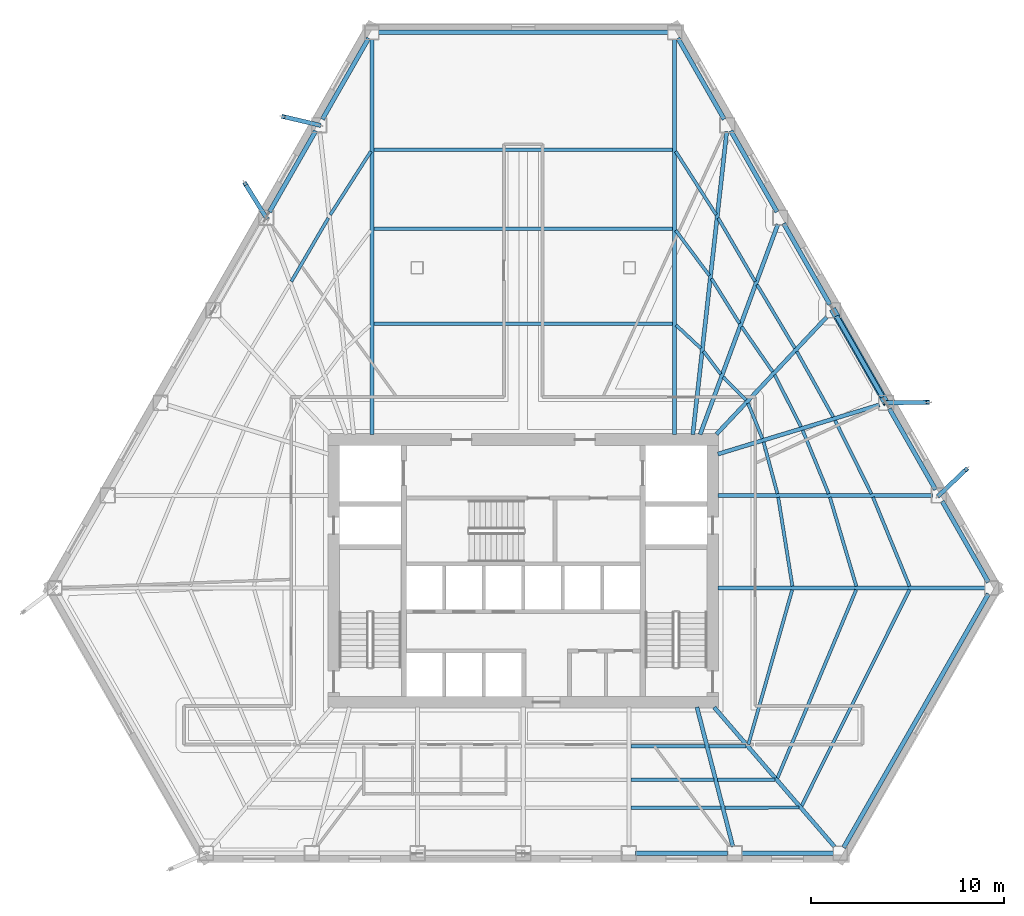
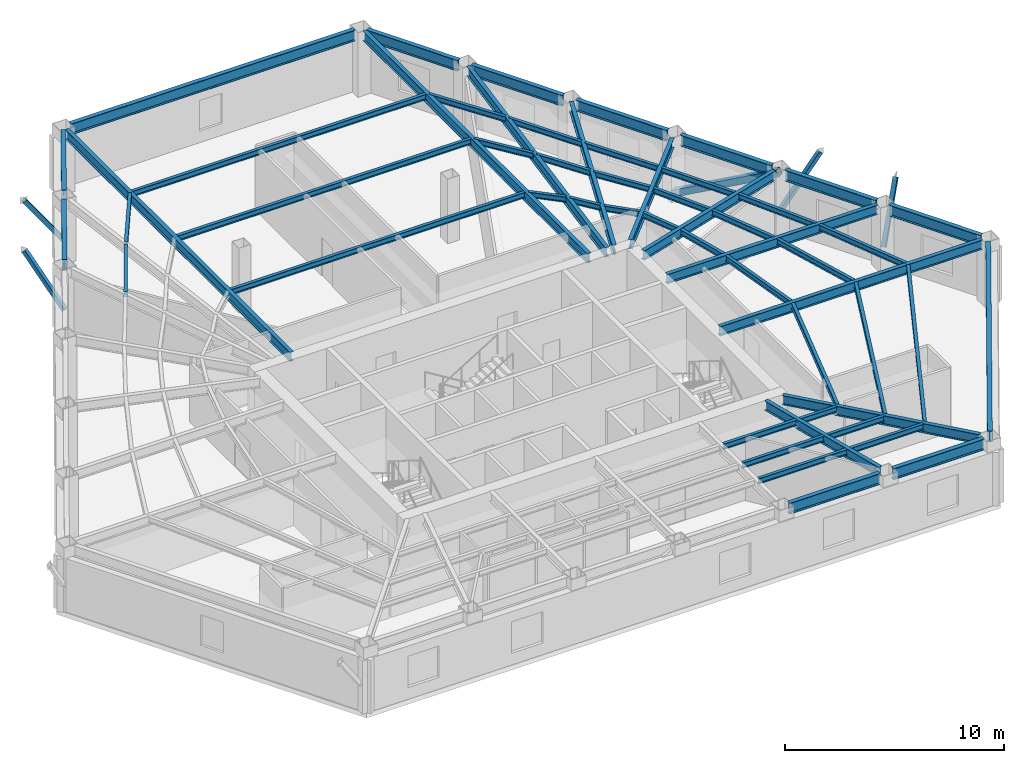
# One storey, part 2 of 12: 54 beams, 5 members.
"""IFC4 building model written with IfcOpenShell, lengths in metres."""

from ifc_helpers import new_model, si_unit, direction, frame, origin, origin_2d, place, context, subcontext, project, spatial, hollow_rectangle, i_section, extrude, material, material_profile, profile_set, type_object, element, save


model = new_model("IFC4")

# Units and contexts
model_context = context("Model", 3, precision=1e-05, world=origin(), true_north=direction((0.0, 1.0)))
body_context = subcontext(model_context, "Body", "Model", "MODEL_VIEW")
ifc_project = project(units=[si_unit("LENGTHUNIT", "METRE"), si_unit("AREAUNIT", "SQUARE_METRE"), si_unit("VOLUMEUNIT", "CUBIC_METRE"), si_unit("PLANEANGLEUNIT", "RADIAN"), si_unit("MASSUNIT", "GRAM", prefix="KILO")], contexts=[model_context])

# Site, building, storey
site_placement = place(None, origin())
site = spatial("IfcSite", under=ifc_project, at=site_placement, CompositionType="ELEMENT")
building_placement = place(site_placement, origin())
building = spatial("IfcBuilding", under=site, at=building_placement, Name="Kavelnor Concourse Tower", CompositionType="ELEMENT")
storey_placement = place(building_placement, frame((0.0, 0.0, 29.10009765625)))
storey = spatial("IfcBuildingStorey", under=building, at=storey_placement, Name="L07", CompositionType="ELEMENT", Elevation=29.10009765625)

# Beams
ifc_material = material(Name="Steel Grade 350", Category="steel")
ifc_material_profile_1 = material_profile(ifc_material, i_section(OverallWidth=0.166015625, OverallDepth=0.306884765625, WebThickness=0.006591796875, FlangeThickness=0.01171875, at=origin_2d()), Name="310UB46")
ifc_profile_set_1 = profile_set([ifc_material_profile_1], Name="Steel Grade 350")
beam_type_1 = type_object("IfcBeamType", Name="BM-JOIST-310", PredefinedType="JOIST", material=ifc_profile_set_1)
beam_1_placement = place(storey_placement, frame((43.572998046875, 7.013671875, 3.4365234375), z_axis=(0.999999991945, -0.000126927714, 0.0), x_axis=(0.000126927714, 0.999999991945, 0.0)))
element("IfcBeam", 1, at=beam_1_placement, inside=storey, type_object=beam_type_1, Name="L07 Secondary Composite Joist 06-1", PredefinedType="JOIST", context=body_context, shape_type="SweptSolid", body=[
    extrude(i_section(OverallWidth=0.166015625, OverallDepth=0.306884765625, WebThickness=0.006591796875, FlangeThickness=0.01171875, at=origin_2d()), origin(), (0.0, 0.0, 1.0), 3.846923828125),
])
beam_2_placement = place(storey_placement, frame((43.572998046875, 5.276611328125, 3.4365234375), z_axis=(0.999999998384, 5.6850483e-05, 0.0), x_axis=(-5.6850483e-05, 0.999999998384, 0.0)))
element("IfcBeam", 2, at=beam_2_placement, inside=storey, type_object=beam_type_1, Name="L07 Secondary Composite Joist 06-2", PredefinedType="JOIST", context=body_context, shape_type="SweptSolid", body=[
    extrude(i_section(OverallWidth=0.166015625, OverallDepth=0.306884765625, WebThickness=0.006591796875, FlangeThickness=0.01171875, at=origin_2d()), origin(), (0.0, 0.0, 1.0), 4.29443359375),
])
beam_3_placement = place(storey_placement, frame((43.572998046875, 3.829345703125, 3.4365234375), z_axis=(0.999999994527, 0.000104618925, 0.0), x_axis=(-0.000104618925, 0.999999994527, 0.0)))
element("IfcBeam", 3, at=beam_3_placement, inside=storey, type_object=beam_type_1, Name="L07 Secondary Composite Joist 06-3", PredefinedType="JOIST", context=body_context, shape_type="SweptSolid", body=[
    extrude(i_section(OverallWidth=0.166015625, OverallDepth=0.306884765625, WebThickness=0.006591796875, FlangeThickness=0.01171875, at=origin_2d()), origin(), (0.0, 0.0, 1.0), 4.667236328125),
])
beam_4_placement = place(storey_placement, frame((47.616943359375, 7.012939453125, 3.4365234375), z_axis=(0.999998412912, -0.001781620995, 0.0), x_axis=(0.001781620995, 0.999998412912, 0.0)))
element("IfcBeam", 4, at=beam_4_placement, inside=storey, type_object=beam_type_1, Name="L07 Secondary Composite Joist 07-1", PredefinedType="JOIST", context=body_context, shape_type="SweptSolid", body=[
    extrude(i_section(OverallWidth=0.166015625, OverallDepth=0.306884765625, WebThickness=0.006591796875, FlangeThickness=0.01171875, at=origin_2d()), origin(), (0.0, 0.0, 1.0), 1.91845703125),
])
beam_5_placement = place(storey_placement, frame((48.064453125, 5.27685546875, 3.4365234375), z_axis=(0.999999996614, 8.2290981e-05, 0.0), x_axis=(-8.2290981e-05, 0.999999996614, 0.0)))
element("IfcBeam", 5, at=beam_5_placement, inside=storey, type_object=beam_type_1, Name="L07 Secondary Composite Joist 07-2", PredefinedType="JOIST", context=body_context, shape_type="SweptSolid", body=[
    extrude(i_section(OverallWidth=0.166015625, OverallDepth=0.306884765625, WebThickness=0.006591796875, FlangeThickness=0.01171875, at=origin_2d()), origin(), (0.0, 0.0, 1.0), 2.966796875),
])
beam_6_placement = place(storey_placement, frame((48.437255859375, 3.830078125, 3.4365234375), z_axis=(0.999999603933, 0.000890018719, 0.0), x_axis=(-0.000890018719, 0.999999603933, 0.0)))
element("IfcBeam", 6, at=beam_6_placement, inside=storey, type_object=beam_type_1, Name="L07 Secondary Composite Joist 07-3", PredefinedType="JOIST", context=body_context, shape_type="SweptSolid", body=[
    extrude(i_section(OverallWidth=0.166015625, OverallDepth=0.306884765625, WebThickness=0.006591796875, FlangeThickness=0.01171875, at=origin_2d()), origin(), (0.0, 0.0, 1.0), 3.84033203125),
])
beam_7_placement = place(storey_placement, frame((49.660888671875, 7.10400390625, 3.4365234375), z_axis=(0.27269037015, 0.962101845974, 0.0), x_axis=(-0.962101845974, 0.27269037015, 0.0)))
element("IfcBeam", 7, at=beam_7_placement, inside=storey, type_object=beam_type_1, Name="L07 Secondary Composite Joist 08-1", PredefinedType="JOIST", context=body_context, shape_type="SweptSolid", body=[
    extrude(i_section(OverallWidth=0.166015625, OverallDepth=0.306884765625, WebThickness=0.006591796875, FlangeThickness=0.01171875, at=origin_2d()), origin(), (0.0, 0.0, 1.0), 8.32275390625),
])
beam_8_placement = place(storey_placement, frame((51.167724609375, 5.367919921875, 3.4365234375), z_axis=(0.38570957059, 0.922620250783, 0.0), x_axis=(-0.922620250783, 0.38570957059, 0.0)))
element("IfcBeam", 8, at=beam_8_placement, inside=storey, type_object=beam_type_1, Name="L07 Secondary Composite Joist 08-2", PredefinedType="JOIST", context=body_context, shape_type="SweptSolid", body=[
    extrude(i_section(OverallWidth=0.166015625, OverallDepth=0.306884765625, WebThickness=0.006591796875, FlangeThickness=0.01171875, at=origin_2d()), origin(), (0.0, 0.0, 1.0), 10.564697265625),
])
beam_9_placement = place(storey_placement, frame((52.420166015625, 3.921630859375, 3.4365234375), z_axis=(0.446425153632, 0.894820977741, 0.0), x_axis=(-0.894820977741, 0.446425153632, 0.0)))
element("IfcBeam", 9, at=beam_9_placement, inside=storey, type_object=beam_type_1, Name="L07 Secondary Composite Joist 08-3", PredefinedType="JOIST", context=body_context, shape_type="SweptSolid", body=[
    extrude(i_section(OverallWidth=0.166015625, OverallDepth=0.306884765625, WebThickness=0.006591796875, FlangeThickness=0.01171875, at=origin_2d()), origin(), (0.0, 0.0, 1.0), 12.5126953125),
])
beam_10_placement = place(storey_placement, frame((51.941650390625, 15.303466796875, 3.4365234375), z_axis=(-0.157778022927, 0.98747460498, 0.0), x_axis=(-0.98747460498, -0.157778022927, 0.0)))
element("IfcBeam", 10, at=beam_10_placement, inside=storey, type_object=beam_type_1, Name="L07 Secondary Composite Joist 09-1", PredefinedType="JOIST", context=body_context, shape_type="SweptSolid", body=[
    extrude(i_section(OverallWidth=0.166015625, OverallDepth=0.306884765625, WebThickness=0.006591796875, FlangeThickness=0.01171875, at=origin_2d()), origin(), (0.0, 0.0, 1.0), 4.66064453125),
])
beam_11_placement = place(storey_placement, frame((55.252685546875, 15.300537109375, 3.4365234375), z_axis=(-0.284527543542, 0.958667865825, 0.0), x_axis=(-0.958667865825, -0.284527543542, 0.0)))
element("IfcBeam", 11, at=beam_11_placement, inside=storey, type_object=beam_type_1, Name="L07 Secondary Composite Joist 09-2", PredefinedType="JOIST", context=body_context, shape_type="SweptSolid", body=[
    extrude(i_section(OverallWidth=0.166015625, OverallDepth=0.306884765625, WebThickness=0.006591796875, FlangeThickness=0.01171875, at=origin_2d()), origin(), (0.0, 0.0, 1.0), 4.806884765625),
])
beam_12_placement = place(storey_placement, frame((58.0126953125, 15.29736328125, 3.4365234375), z_axis=(-0.380114739322, 0.924939341228, 0.0), x_axis=(-0.924939341228, -0.380114739322, 0.0)))
element("IfcBeam", 12, at=beam_12_placement, inside=storey, type_object=beam_type_1, Name="L07 Secondary Composite Joist 09-3", PredefinedType="JOIST", context=body_context, shape_type="SweptSolid", body=[
    extrude(i_section(OverallWidth=0.166015625, OverallDepth=0.306884765625, WebThickness=0.006591796875, FlangeThickness=0.01171875, at=origin_2d()), origin(), (0.0, 0.0, 1.0), 4.9892578125),
])
beam_13_placement = place(storey_placement, frame((51.165283203125, 20.09814453125, 3.4365234375), z_axis=(-0.259044050326, 0.965865508231, 0.0), x_axis=(-0.965865508231, -0.259044050326, 0.0)))
element("IfcBeam", 13, at=beam_13_placement, inside=storey, type_object=beam_type_1, Name="L07 Secondary Composite Joist 10-1", PredefinedType="JOIST", context=body_context, shape_type="SweptSolid", body=[
    extrude(i_section(OverallWidth=0.166015625, OverallDepth=0.306884765625, WebThickness=0.006591796875, FlangeThickness=0.01171875, at=origin_2d()), origin(), (0.0, 0.0, 1.0), 2.760498046875),
])
beam_14_placement = place(storey_placement, frame((53.819580078125, 20.09423828125, 3.4365234375), z_axis=(-0.379764488657, 0.925083203369, 0.0), x_axis=(-0.925083203369, -0.379764488657, 0.0)))
element("IfcBeam", 14, at=beam_14_placement, inside=storey, type_object=beam_type_1, Name="L07 Secondary Composite Joist 10-2", PredefinedType="JOIST", context=body_context, shape_type="SweptSolid", body=[
    extrude(i_section(OverallWidth=0.166015625, OverallDepth=0.306884765625, WebThickness=0.006591796875, FlangeThickness=0.01171875, at=origin_2d()), origin(), (0.0, 0.0, 1.0), 3.552490234375),
])
beam_15_placement = place(storey_placement, frame((56.03515625, 20.09130859375, 3.4365234375), z_axis=(-0.444127359241, 0.895963664873, 0.0), x_axis=(-0.895963664873, -0.444127359241, 0.0)))
element("IfcBeam", 15, at=beam_15_placement, inside=storey, type_object=beam_type_1, Name="L07 Secondary Composite Joist 10-3", PredefinedType="JOIST", context=body_context, shape_type="SweptSolid", body=[
    extrude(i_section(OverallWidth=0.166015625, OverallDepth=0.306884765625, WebThickness=0.006591796875, FlangeThickness=0.01171875, at=origin_2d()), origin(), (0.0, 0.0, 1.0), 4.24365234375),
])
beam_16_placement = place(storey_placement, frame((50.3876953125, 22.95068359375, 3.4365234375), z_axis=(-0.37688079029, 0.926261771807, 0.0), x_axis=(-0.926261771807, -0.37688079029, 0.0)))
element("IfcBeam", 16, at=beam_16_placement, inside=storey, type_object=beam_type_1, Name="L07 Secondary Composite Joist 11-1", PredefinedType="JOIST", context=body_context, shape_type="SweptSolid", body=[
    extrude(i_section(OverallWidth=0.166015625, OverallDepth=0.306884765625, WebThickness=0.006591796875, FlangeThickness=0.01171875, at=origin_2d()), origin(), (0.0, 0.0, 1.0), 1.975830078125),
])
beam_17_placement = place(storey_placement, frame((52.388427734375, 23.559326171875, 3.4365234375), z_axis=(-0.45359286798, 0.891209015954, 0.0), x_axis=(-0.891209015954, -0.45359286798, 0.0)))
element("IfcBeam", 17, at=beam_17_placement, inside=storey, type_object=beam_type_1, Name="L07 Secondary Composite Joist 11-2", PredefinedType="JOIST", context=body_context, shape_type="SweptSolid", body=[
    extrude(i_section(OverallWidth=0.166015625, OverallDepth=0.306884765625, WebThickness=0.006591796875, FlangeThickness=0.01171875, at=origin_2d()), origin(), (0.0, 0.0, 1.0), 3.01025390625),
])
beam_18_placement = place(storey_placement, frame((54.058837890625, 24.06787109375, 3.4365234375), z_axis=(-0.486646615233, 0.873598919346, 0.0), x_axis=(-0.873598919346, -0.486646615233, 0.0)))
element("IfcBeam", 18, at=beam_18_placement, inside=storey, type_object=beam_type_1, Name="L07 Secondary Composite Joist 11-3", PredefinedType="JOIST", context=body_context, shape_type="SweptSolid", body=[
    extrude(i_section(OverallWidth=0.166015625, OverallDepth=0.306884765625, WebThickness=0.006591796875, FlangeThickness=0.01171875, at=origin_2d()), origin(), (0.0, 0.0, 1.0), 3.881591796875),
])
beam_19_placement = place(storey_placement, frame((49.536865234375, 24.942138671875, 3.4365234375), z_axis=(-0.701128879379, 0.713034567536, 0.0), x_axis=(-0.713034567536, -0.701128879379, 0.0)))
element("IfcBeam", 19, at=beam_19_placement, inside=storey, type_object=beam_type_1, Name="L07 Secondary Composite Joist 12-1", PredefinedType="JOIST", context=body_context, shape_type="SweptSolid", body=[
    extrude(i_section(OverallWidth=0.166015625, OverallDepth=0.306884765625, WebThickness=0.006591796875, FlangeThickness=0.01171875, at=origin_2d()), origin(), (0.0, 0.0, 1.0), 1.681396484375),
])
beam_20_placement = place(storey_placement, frame((50.92236328125, 26.410888671875, 3.4365234375), z_axis=(-0.568219875212, 0.822876766846, 0.0), x_axis=(-0.822876766846, -0.568219875212, 0.0)))
element("IfcBeam", 20, at=beam_20_placement, inside=storey, type_object=beam_type_1, Name="L07 Secondary Composite Joist 12-2", PredefinedType="JOIST", context=body_context, shape_type="SweptSolid", body=[
    extrude(i_section(OverallWidth=0.166015625, OverallDepth=0.306884765625, WebThickness=0.006591796875, FlangeThickness=0.01171875, at=origin_2d()), origin(), (0.0, 0.0, 1.0), 2.8349609375),
])
beam_21_placement = place(storey_placement, frame((52.071533203125, 27.62939453125, 3.4365234375), z_axis=(-0.511989436701, 0.85899174426, 0.0), x_axis=(-0.85899174426, -0.511989436701, 0.0)))
element("IfcBeam", 21, at=beam_21_placement, inside=storey, type_object=beam_type_1, Name="L07 Secondary Composite Joist 12-3", PredefinedType="JOIST", context=body_context, shape_type="SweptSolid", body=[
    extrude(i_section(OverallWidth=0.166015625, OverallDepth=0.306884765625, WebThickness=0.006591796875, FlangeThickness=0.01171875, at=origin_2d()), origin(), (0.0, 0.0, 1.0), 3.828125),
])
beam_22_placement = place(storey_placement, frame((48.2294921875, 26.289794921875, 3.4365234375), z_axis=(-0.602679585657, 0.797983281173, 0.0), x_axis=(-0.797983281173, -0.602679585657, 0.0)))
element("IfcBeam", 22, at=beam_22_placement, inside=storey, type_object=beam_type_1, Name="L07 Secondary Composite Joist 13-1", PredefinedType="JOIST", context=body_context, shape_type="SweptSolid", body=[
    extrude(i_section(OverallWidth=0.166015625, OverallDepth=0.306884765625, WebThickness=0.006591796875, FlangeThickness=0.01171875, at=origin_2d()), origin(), (0.0, 0.0, 1.0), 1.485107421875),
])
beam_23_placement = place(storey_placement, frame((49.203369140625, 28.908203125, 3.4365234375), z_axis=(-0.529990944069, 0.848003301412, 0.0), x_axis=(-0.848003301412, -0.529990944069, 0.0)))
element("IfcBeam", 23, at=beam_23_placement, inside=storey, type_object=beam_type_1, Name="L07 Secondary Composite Joist 13-2", PredefinedType="JOIST", context=body_context, shape_type="SweptSolid", body=[
    extrude(i_section(OverallWidth=0.166015625, OverallDepth=0.306884765625, WebThickness=0.006591796875, FlangeThickness=0.01171875, at=origin_2d()), origin(), (0.0, 0.0, 1.0), 2.74462890625),
])
beam_24_placement = place(storey_placement, frame((50.011474609375, 31.08740234375, 3.4365234375), z_axis=(-0.503479668379, 0.864007073772, 0.0), x_axis=(-0.864007073772, -0.503479668379, 0.0)))
element("IfcBeam", 24, at=beam_24_placement, inside=storey, type_object=beam_type_1, Name="L07 Secondary Composite Joist 13-3", PredefinedType="JOIST", context=body_context, shape_type="SweptSolid", body=[
    extrude(i_section(OverallWidth=0.166015625, OverallDepth=0.306884765625, WebThickness=0.006591796875, FlangeThickness=0.01171875, at=origin_2d()), origin(), (0.0, 0.0, 1.0), 3.8017578125),
])
beam_25_placement = place(storey_placement, frame((47.203125, 27.62060546875, 3.4365234375), z_axis=(-0.730182552933, 0.683252105297, 0.0), x_axis=(-0.683252105297, -0.730182552933, 0.0)))
element("IfcBeam", 25, at=beam_25_placement, inside=storey, type_object=beam_type_1, Name="L07 Secondary Composite Joist 14-1", PredefinedType="JOIST", context=body_context, shape_type="SweptSolid", body=[
    extrude(i_section(OverallWidth=0.166015625, OverallDepth=0.306884765625, WebThickness=0.006591796875, FlangeThickness=0.01171875, at=origin_2d()), origin(), (0.0, 0.0, 1.0), 1.768798828125),
])
beam_26_placement = place(storey_placement, frame((47.6376953125, 31.398193359375, 3.4365234375), z_axis=(-0.597166328118, 0.80211743315, 0.0), x_axis=(-0.80211743315, -0.597166328118, 0.0)))
element("IfcBeam", 26, at=beam_26_placement, inside=storey, type_object=beam_type_1, Name="L07 Secondary Composite Joist 14-2", PredefinedType="JOIST", context=body_context, shape_type="SweptSolid", body=[
    extrude(i_section(OverallWidth=0.166015625, OverallDepth=0.306884765625, WebThickness=0.006591796875, FlangeThickness=0.01171875, at=origin_2d()), origin(), (0.0, 0.0, 1.0), 2.91259765625),
])
beam_27_placement = place(storey_placement, frame((47.99462890625, 34.5400390625, 3.4365234375), z_axis=(-0.53861510592, 0.842551937672, 0.0), x_axis=(-0.842551937672, -0.53861510592, 0.0)))
element("IfcBeam", 27, at=beam_27_placement, inside=storey, type_object=beam_type_1, Name="L07 Secondary Composite Joist 14-3", PredefinedType="JOIST", context=body_context, shape_type="SweptSolid", body=[
    extrude(i_section(OverallWidth=0.166015625, OverallDepth=0.306884765625, WebThickness=0.006591796875, FlangeThickness=0.01171875, at=origin_2d()), origin(), (0.0, 0.0, 1.0), 3.90234375),
])
for number, where, z_axis, x_axis, name in (
    (28, (45.7412109375, 28.896484375, 3.4365234375), (-1.0, 0.0, 0.0), (0.0, -1.0, 0.0), "L07 Secondary Composite Joist 15-1"),
    (29, (45.7412109375, 33.8134765625, 3.4365234375), (-1.0, 0.0, 0.0), (0.0, -1.0, 0.0), "L07 Secondary Composite Joist 15-2"),
    (30, (45.7412109375, 37.910888671875, 3.4365234375), (-1.0, 0.0, 0.0), (0.0, -1.0, 0.0), "L07 Secondary Composite Joist 15-3"),
):
    element("IfcBeam", number, at=place(storey_placement, frame(where, z_axis=z_axis, x_axis=x_axis)), inside=storey, type_object=beam_type_1, Name=name, PredefinedType="JOIST", context=body_context, shape_type="SweptSolid", body=[
        extrude(i_section(OverallWidth=0.166015625, OverallDepth=0.306884765625, WebThickness=0.006591796875, FlangeThickness=0.01171875, at=origin_2d()), origin(), (0.0, 0.0, 1.0), 15.482421875),
    ])
beam_28_placement = place(storey_placement, frame((30.107177734375, 37.827880859375, 3.4365234375), z_axis=(-0.538659517603, -0.842523545129, 0.0), x_axis=(0.842523545129, -0.538659517603, 0.0)))
element("IfcBeam", 31, at=beam_28_placement, inside=storey, type_object=beam_type_1, Name="L07 Secondary Composite Joist 16-3", PredefinedType="JOIST", context=body_context, shape_type="SweptSolid", body=[
    extrude(i_section(OverallWidth=0.166015625, OverallDepth=0.306884765625, WebThickness=0.006591796875, FlangeThickness=0.01171875, at=origin_2d()), origin(), (0.0, 0.0, 1.0), 3.90234375),
])
beam_29_placement = place(storey_placement, frame((27.902587890625, 34.3720703125, 3.4365234375), z_axis=(-0.503479668379, -0.864007073772, 0.0), x_axis=(0.864007073772, -0.503479668379, 0.0)))
element("IfcBeam", 32, at=beam_29_placement, inside=storey, type_object=beam_type_1, Name="L07 Secondary Composite Joist 17-3", PredefinedType="JOIST", context=body_context, shape_type="SweptSolid", body=[
    extrude(i_section(OverallWidth=0.166015625, OverallDepth=0.306884765625, WebThickness=0.006591796875, FlangeThickness=0.01171875, at=origin_2d()), origin(), (0.0, 0.0, 1.0), 3.8017578125),
])
ifc_material_profile_2 = material_profile(ifc_material, i_section(OverallWidth=0.208984375, OverallDepth=0.528076171875, WebThickness=0.009521484375, FlangeThickness=0.01318359375, at=origin_2d()), Name="530UB82")
ifc_profile_set_2 = profile_set([ifc_material_profile_2], Name="Steel Grade 350")
beam_type_2 = type_object("IfcBeamType", Name="BM-PRIMARY-530", PredefinedType="BEAM", material=ifc_profile_set_2)
beam_30_placement = place(storey_placement, frame((30.160400390625, 23.159912109375, 3.325927734375), z_axis=(0.0, 1.0, 0.0), x_axis=(-1.0, 0.0, 0.0)))
element("IfcBeam", 33, at=beam_30_placement, inside=storey, type_object=beam_type_2, Name="L07 Primary Floor Girder F0-B0", PredefinedType="BEAM", context=body_context, shape_type="SweptSolid", body=[
    extrude(i_section(OverallWidth=0.208984375, OverallDepth=0.528076171875, WebThickness=0.009521484375, FlangeThickness=0.01318359375, at=origin_2d()), origin(), (0.0, 0.0, 1.0), 20.487548828125),
])
beam_31_placement = place(storey_placement, frame((46.99658203125, 9.038818359375, 3.325927734375), z_axis=(0.249534064599, -0.968366020988, 0.0), x_axis=(0.968366020988, 0.249534064599, 0.0)))
element("IfcBeam", 34, at=beam_31_placement, inside=storey, type_object=beam_type_2, Name="L07 Primary Floor Girder F1-B5", PredefinedType="BEAM", context=body_context, shape_type="SweptSolid", body=[
    extrude(i_section(OverallWidth=0.208984375, OverallDepth=0.528076171875, WebThickness=0.009521484375, FlangeThickness=0.01318359375, at=origin_2d()), origin(), (0.0, 0.0, 1.0), 7.470947265625),
])
beam_32_placement = place(storey_placement, frame((47.888916015625, 9.0302734375, 3.325927734375), z_axis=(0.653538546599, -0.756893234287, 0.0), x_axis=(0.756893234287, 0.653538546599, 0.0)))
element("IfcBeam", 35, at=beam_32_placement, inside=storey, type_object=beam_type_2, Name="L07 Primary Floor Girder F1-B6", PredefinedType="BEAM", context=body_context, shape_type="SweptSolid", body=[
    extrude(i_section(OverallWidth=0.208984375, OverallDepth=0.528076171875, WebThickness=0.009521484375, FlangeThickness=0.01318359375, at=origin_2d()), origin(), (0.0, 0.0, 1.0), 9.5361328125),
])
beam_33_placement = place(storey_placement, frame((48.080078125, 15.206298828125, 3.325927734375), z_axis=(1.0, 0.0, 0.0), x_axis=(0.0, 1.0, 0.0)))
element("IfcBeam", 36, at=beam_33_placement, inside=storey, type_object=beam_type_2, Name="L07 Primary Floor Girder F2-B0", PredefinedType="BEAM", context=body_context, shape_type="SweptSolid", body=[
    extrude(i_section(OverallWidth=0.208984375, OverallDepth=0.528076171875, WebThickness=0.009521484375, FlangeThickness=0.01318359375, at=origin_2d()), origin(), (0.0, 0.0, 1.0), 13.847412109375),
])
beam_34_placement = place(storey_placement, frame((48.080078125, 20.003173828125, 3.325927734375), z_axis=(1.0, 0.0, 0.0), x_axis=(0.0, 1.0, 0.0)))
element("IfcBeam", 37, at=beam_34_placement, inside=storey, type_object=beam_type_2, Name="L07 Primary Floor Girder F2-B1", PredefinedType="BEAM", context=body_context, shape_type="SweptSolid", body=[
    extrude(i_section(OverallWidth=0.208984375, OverallDepth=0.528076171875, WebThickness=0.009521484375, FlangeThickness=0.01318359375, at=origin_2d()), origin(), (0.0, 0.0, 1.0), 11.109375),
])
beam_35_placement = place(storey_placement, frame((48.081787109375, 22.1455078125, 3.325927734375), z_axis=(0.956561257848, 0.291531404799, 0.0), x_axis=(-0.291531404799, 0.956561257848, 0.0)))
element("IfcBeam", 38, at=beam_35_placement, inside=storey, type_object=beam_type_2, Name="L07 Primary Floor Girder F2-B2", PredefinedType="BEAM", context=body_context, shape_type="SweptSolid", body=[
    extrude(i_section(OverallWidth=0.208984375, OverallDepth=0.528076171875, WebThickness=0.009521484375, FlangeThickness=0.01318359375, at=origin_2d()), origin(), (0.0, 0.0, 1.0), 8.747802734375),
])
beam_36_placement = place(storey_placement, frame((48.004638671875, 23.1708984375, 3.325927734375), z_axis=(0.685437716823, 0.728131263136, 0.0), x_axis=(-0.728131263136, 0.685437716823, 0.0)))
element("IfcBeam", 39, at=beam_36_placement, inside=storey, type_object=beam_type_2, Name="L07 Primary Floor Girder F2-B3", PredefinedType="BEAM", context=body_context, shape_type="SweptSolid", body=[
    extrude(i_section(OverallWidth=0.208984375, OverallDepth=0.528076171875, WebThickness=0.009521484375, FlangeThickness=0.01318359375, at=origin_2d()), origin(), (0.0, 0.0, 1.0), 8.34326171875),
])
beam_37_placement = place(storey_placement, frame((47.160888671875, 23.16259765625, 3.325927734375), z_axis=(0.346953391469, 0.937882372235, 0.0), x_axis=(-0.937882372235, 0.346953391469, 0.0)))
element("IfcBeam", 40, at=beam_37_placement, inside=storey, type_object=beam_type_2, Name="L07 Primary Floor Girder F2-B4", PredefinedType="BEAM", context=body_context, shape_type="SweptSolid", body=[
    extrude(i_section(OverallWidth=0.208984375, OverallDepth=0.528076171875, WebThickness=0.009521484375, FlangeThickness=0.01318359375, at=origin_2d()), origin(), (0.0, 0.0, 1.0), 11.60986328125),
])
beam_38_placement = place(storey_placement, frame((46.783447265625, 23.16015625, 3.325927734375), z_axis=(0.111229182439, 0.993794782123, 0.0), x_axis=(-0.993794782123, 0.111229182439, 0.0)))
element("IfcBeam", 41, at=beam_38_placement, inside=storey, type_object=beam_type_2, Name="L07 Primary Floor Girder F2-B5", PredefinedType="BEAM", context=body_context, shape_type="SweptSolid", body=[
    extrude(i_section(OverallWidth=0.208984375, OverallDepth=0.528076171875, WebThickness=0.009521484375, FlangeThickness=0.01318359375, at=origin_2d()), origin(), (0.0, 0.0, 1.0), 15.7880859375),
])
beam_39_placement = place(storey_placement, frame((45.839599609375, 23.159912109375, 3.325927734375), z_axis=(0.0, 1.0, 0.0), x_axis=(-1.0, 0.0, 0.0)))
element("IfcBeam", 42, at=beam_39_placement, inside=storey, type_object=beam_type_2, Name="L07 Primary Floor Girder F2-B6", PredefinedType="BEAM", context=body_context, shape_type="SweptSolid", body=[
    extrude(i_section(OverallWidth=0.208984375, OverallDepth=0.528076171875, WebThickness=0.009521484375, FlangeThickness=0.01318359375, at=origin_2d()), origin(), (0.0, 0.0, 1.0), 20.487548828125),
])
ifc_material_profile_3 = material_profile(ifc_material, i_section(OverallWidth=0.22900390625, OverallDepth=0.612060546875, WebThickness=0.011962890625, FlangeThickness=0.01953125, at=origin_2d()), Name="610UB125")
ifc_profile_set_3 = profile_set([ifc_material_profile_3], Name="Steel Grade 350")
beam_type_3 = type_object("IfcBeamType", Name="BM-SPANDREL-Z1", PredefinedType="SPANDREL", material=ifc_profile_set_3)
beam_40_placement = place(storey_placement, frame((29.9892578125, 43.687744140625, 3.283935546875), z_axis=(-0.49571458703, -0.868485491074, 0.0), x_axis=(0.868485491074, -0.49571458703, 0.0)))
element("IfcBeam", 43, at=beam_40_placement, inside=storey, type_object=beam_type_3, Name="L07 Perimeter Tube Spandrel Beam F0-B0", PredefinedType="SPANDREL", context=body_context, shape_type="SweptSolid", body=[
    extrude(i_section(OverallWidth=0.22900390625, OverallDepth=0.612060546875, WebThickness=0.011962890625, FlangeThickness=0.01953125, at=origin_2d()), origin(), (0.0, 0.0, 1.0), 4.83349609375),
])
beam_41_placement = place(storey_placement, frame((27.251220703125, 38.890869140625, 3.283935546875), z_axis=(-0.495698233087, -0.868494825381, 0.0), x_axis=(0.868494825381, -0.495698233087, 0.0)))
element("IfcBeam", 44, at=beam_41_placement, inside=storey, type_object=beam_type_3, Name="L07 Perimeter Tube Spandrel Beam F0-B1", PredefinedType="SPANDREL", context=body_context, shape_type="SweptSolid", body=[
    extrude(i_section(OverallWidth=0.22900390625, OverallDepth=0.612060546875, WebThickness=0.011962890625, FlangeThickness=0.01953125, at=origin_2d()), origin(), (0.0, 0.0, 1.0), 4.8330078125),
])
beam_42_placement = place(storey_placement, frame((45.49462890625, 43.9873046875, 3.283935546875), z_axis=(-1.0, 0.0, 0.0), x_axis=(0.0, -1.0, 0.0)))
element("IfcBeam", 45, at=beam_42_placement, inside=storey, type_object=beam_type_3, Name="L07 Chamfer Facet Spandrel Beam C0", PredefinedType="SPANDREL", context=body_context, shape_type="SweptSolid", body=[
    extrude(i_section(OverallWidth=0.22900390625, OverallDepth=0.612060546875, WebThickness=0.011962890625, FlangeThickness=0.01953125, at=origin_2d()), origin(), (0.0, 0.0, 1.0), 14.9892578125),
])
for number, where, z_axis, x_axis, name in (
    (46, (43.8193359375, 1.462890625, 3.283935546875), (1.0, 0.0, 0.0), (0.0, 1.0, 0.0), "L07 Perimeter Tube Spandrel Beam F1-B4"),
    (47, (49.293701171875, 1.462890625, 3.283935546875), (1.0, 0.0, 0.0), (0.0, 1.0, 0.0), "L07 Perimeter Tube Spandrel Beam F1-B5"),
):
    element("IfcBeam", number, at=place(storey_placement, frame(where, z_axis=z_axis, x_axis=x_axis)), inside=storey, type_object=beam_type_3, Name=name, PredefinedType="SPANDREL", context=body_context, shape_type="SweptSolid", body=[
        extrude(i_section(OverallWidth=0.22900390625, OverallDepth=0.612060546875, WebThickness=0.011962890625, FlangeThickness=0.01953125, at=origin_2d()), origin(), (0.0, 0.0, 1.0), 4.784423828125),
    ])
beam_43_placement = place(storey_placement, frame((62.096435546875, 15.505859375, 3.283935546875), z_axis=(-0.49571458703, 0.868485491074, 0.0), x_axis=(-0.868485491074, -0.49571458703, 0.0)))
element("IfcBeam", 48, at=beam_43_placement, inside=storey, type_object=beam_type_3, Name="L07 Perimeter Tube Spandrel Beam F2-B0", PredefinedType="SPANDREL", context=body_context, shape_type="SweptSolid", body=[
    extrude(i_section(OverallWidth=0.22900390625, OverallDepth=0.612060546875, WebThickness=0.011962890625, FlangeThickness=0.01953125, at=origin_2d()), origin(), (0.0, 0.0, 1.0), 4.83349609375),
])
for number, where, z_axis, x_axis, name in (
    (49, (59.3583984375, 20.302734375, 3.283935546875), (-0.495736333855, 0.868473078049, 0.0), (-0.868473078049, -0.495736333855, 0.0), "L07 Perimeter Tube Spandrel Beam F2-B1"),
    (50, (56.62060546875, 25.099609375, 3.283935546875), (-0.495736333855, 0.868473078049, 0.0), (-0.868473078049, -0.495736333855, 0.0), "L07 Perimeter Tube Spandrel Beam F2-B2"),
    (51, (53.882568359375, 29.896484375, 3.283935546875), (-0.495736333855, 0.868473078049, 0.0), (-0.868473078049, -0.495736333855, 0.0), "L07 Perimeter Tube Spandrel Beam F2-B3"),
    (52, (51.14453125, 34.693359375, 3.283935546875), (-0.495736333855, 0.868473078049, 0.0), (-0.868473078049, -0.495736333855, 0.0), "L07 Perimeter Tube Spandrel Beam F2-B4"),
    (53, (48.406494140625, 39.489990234375, 3.283935546875), (-0.495676486845, 0.868507236809, 0.0), (-0.868507236809, -0.495676486845, 0.0), "L07 Perimeter Tube Spandrel Beam F2-B5"),
):
    element("IfcBeam", number, at=place(storey_placement, frame(where, z_axis=z_axis, x_axis=x_axis)), inside=storey, type_object=beam_type_3, Name=name, PredefinedType="SPANDREL", context=body_context, shape_type="SweptSolid", body=[
        extrude(i_section(OverallWidth=0.22900390625, OverallDepth=0.612060546875, WebThickness=0.011962890625, FlangeThickness=0.01953125, at=origin_2d()), origin(), (0.0, 0.0, 1.0), 4.833251953125),
    ])
beam_44_placement = place(storey_placement, frame((54.593994140625, 1.762451171875, 3.283935546875), z_axis=(0.495718470628, 0.86848327438, 0.0), x_axis=(-0.86848327438, 0.495718470628, 0.0)))
element("IfcBeam", 54, at=beam_44_placement, inside=storey, type_object=beam_type_3, Name="L07 Chamfer Facet Spandrel Beam C2", PredefinedType="SPANDREL", context=body_context, shape_type="SweptSolid", body=[
    extrude(i_section(OverallWidth=0.22900390625, OverallDepth=0.612060546875, WebThickness=0.011962890625, FlangeThickness=0.01953125, at=origin_2d()), origin(), (0.0, 0.0, 1.0), 15.134521484375),
])

# Members
ifc_material_profile_4 = material_profile(ifc_material, hollow_rectangle(XDim=0.219970703125, YDim=0.219970703125, WallThickness=0.013916015625, at=origin_2d()), Name="SHS 220x220x14")
ifc_profile_set_4 = profile_set([ifc_material_profile_4], Name="Steel Grade 350")
member_type_1 = type_object("IfcMemberType", Name="MBR-BALC-STRUT-220", PredefinedType="STRUT", material=ifc_profile_set_4)
member_1_placement = place(storey_placement, frame((59.529541015625, 20.003173828125, 1.0498046875), z_axis=(0.434548569149, 0.415375105911, 0.799143956018), x_axis=(-0.690979329249, 0.722874516463, 0.0)))
element("IfcMember", 55, at=member_1_placement, inside=storey, type_object=member_type_1, Name="L07 Tree Balcony Raking Knee Strut 1-A", PredefinedType="STRUT", context=body_context, shape_type="SweptSolid", body=[
    extrude(hollow_rectangle(XDim=0.219970703125, YDim=0.219970703125, WallThickness=0.013916015625, at=origin_2d()), origin(), (0.0, 0.0, 1.0), 3.259765625),
])
member_2_placement = place(storey_placement, frame((56.79150390625, 24.7998046875, 1.0498046875), z_axis=(0.639453068006, 0.00835792179, 0.768784702606), x_axis=(-0.013069306229, 0.99991459297, 0.0)))
element("IfcMember", 56, at=member_2_placement, inside=storey, type_object=member_type_1, Name="L07 Tree Balcony Raking Knee Strut 1-B", PredefinedType="STRUT", context=body_context, shape_type="SweptSolid", body=[
    extrude(hollow_rectangle(XDim=0.219970703125, YDim=0.219970703125, WallThickness=0.013916015625, at=origin_2d()), origin(), (0.0, 0.0, 1.0), 3.388427734375),
])
member_3_placement = place(storey_placement, frame((27.42236328125, 39.1904296875, 1.0498046875), z_axis=(-0.573445436182, 0.134879334633, 0.808064290024), x_axis=(-0.228960512611, -0.97343571111, 0.0)))
element("IfcMember", 57, at=member_3_placement, inside=storey, type_object=member_type_1, Name="L07 Tree Balcony Raking Knee Strut 2-A", PredefinedType="STRUT", context=body_context, shape_type="SweptSolid", body=[
    extrude(hollow_rectangle(XDim=0.219970703125, YDim=0.219970703125, WallThickness=0.013916015625, at=origin_2d()), origin(), (0.0, 0.0, 1.0), 3.2236328125),
])
member_4_placement = place(storey_placement, frame((24.684326171875, 34.393798828125, 1.0498046875), z_axis=(-0.327952837683, 0.528013612853, 0.783357237088), x_axis=(-0.849481357122, -0.527618634909, 0.0)))
element("IfcMember", 58, at=member_4_placement, inside=storey, type_object=member_type_1, Name="L07 Tree Balcony Raking Knee Strut 2-B", PredefinedType="STRUT", context=body_context, shape_type="SweptSolid", body=[
    extrude(hollow_rectangle(XDim=0.219970703125, YDim=0.219970703125, WallThickness=0.013916015625, at=origin_2d()), origin(), (0.0, 0.0, 1.0), 3.325439453125),
])
ifc_material_profile_5 = material_profile(ifc_material, hollow_rectangle(XDim=0.35009765625, YDim=0.35009765625, WallThickness=0.02001953125, at=origin_2d()), Name="SHS 350x350x20")
ifc_profile_set_5 = profile_set([ifc_material_profile_5], Name="Steel Grade 350")
member_type_2 = type_object("IfcMemberType", Name="MBR-TUBE-DIAG-Z1", PredefinedType="BRACE", material=ifc_profile_set_5)
member_5_placement = place(storey_placement, frame((54.0537109375, 29.5966796875, 0.219970703125), z_axis=(0.433461045706, -0.759465188696, 0.48510220471), x_axis=(0.868498723635, 0.495691403036, 0.0)))
element("IfcMember", 59, at=member_5_placement, inside=storey, type_object=member_type_2, Name="L07 Framed-Tube Bracing Diagonal F2-B2", PredefinedType="BRACE", context=body_context, shape_type="SweptSolid", body=[
    extrude(hollow_rectangle(XDim=0.35009765625, YDim=0.35009765625, WallThickness=0.02001953125, at=origin_2d()), origin(), (0.0, 0.0, 1.0), 6.316162109375),
])

save(model, "model.ifc")
